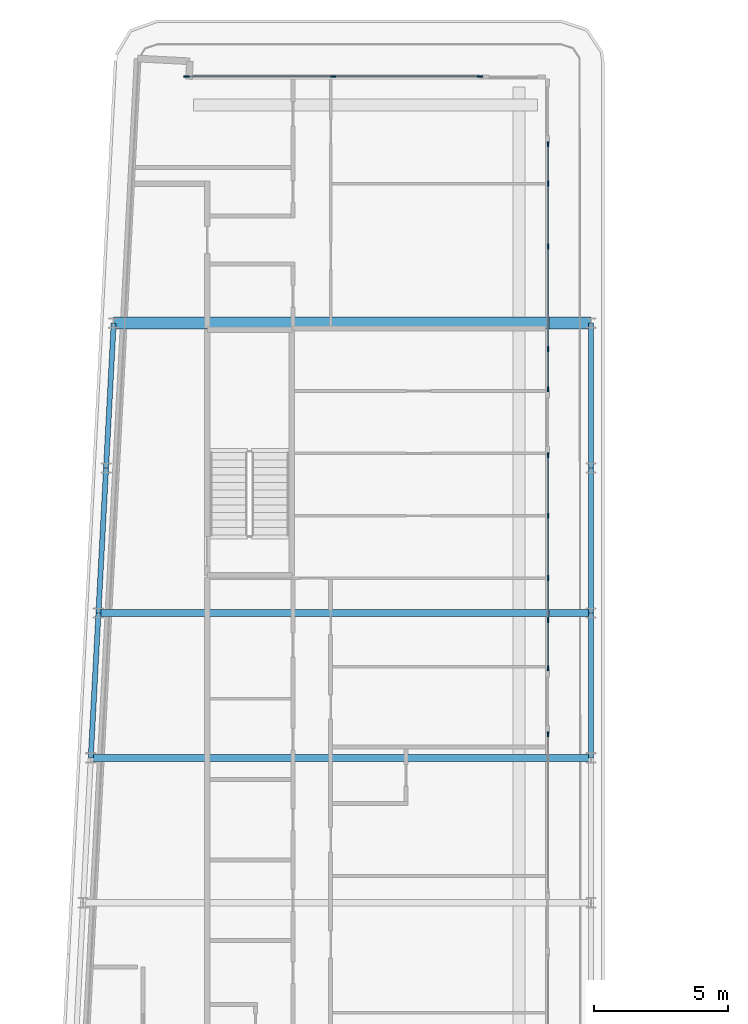
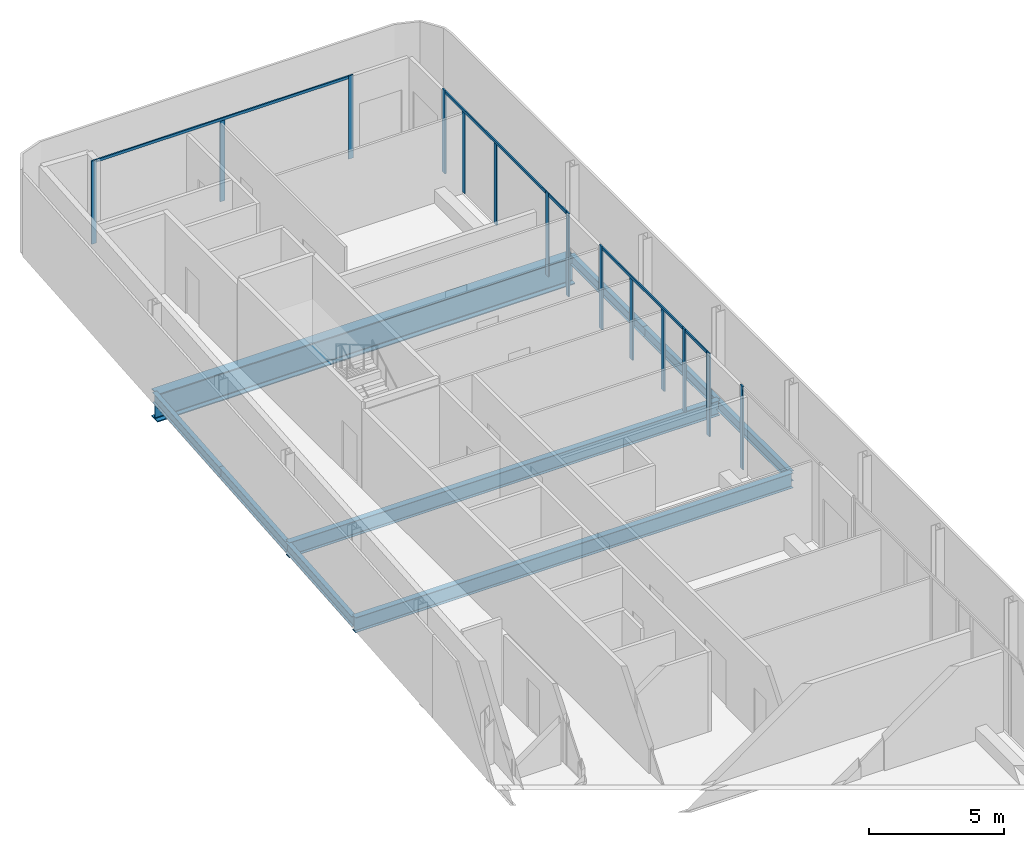
# One storey, part 6 of 18: 19 members, 9 beams, 6 elements without a shape of their own.
"""IFC4 building model written with IfcOpenShell, lengths in metres."""

from ifc_helpers import new_model, si_unit, direction, frame, origin, origin_2d, place, context, subcontext, project, spatial, rectangle, i_section, extrude, material, layer, layer_set, material_profile, profile_set, type_object, element, aggregate, save


model = new_model("IFC4")

# Units and contexts
model_context = context("Model", 3, precision=1e-05, world=origin(), true_north=direction((0.0, 1.0)))
body_context = subcontext(model_context, "Body", "Model", "MODEL_VIEW")
ifc_project = project(units=[si_unit("LENGTHUNIT", "METRE"), si_unit("AREAUNIT", "SQUARE_METRE"), si_unit("VOLUMEUNIT", "CUBIC_METRE"), si_unit("PLANEANGLEUNIT", "RADIAN"), si_unit("MASSUNIT", "GRAM", prefix="KILO")], contexts=[model_context])

# Site, building, storey
site_placement = place(None, origin())
site = spatial("IfcSite", under=ifc_project, at=site_placement, CompositionType="ELEMENT")
building_placement = place(site_placement, origin())
building = spatial("IfcBuilding", under=site, at=building_placement, Name="Kheshtan School and Residences Tower", CompositionType="ELEMENT")
storey_placement = place(building_placement, frame((0.0, 0.0, 385.10009765625)))
storey = spatial("IfcBuildingStorey", under=building, at=storey_placement, Name="L91", CompositionType="ELEMENT", Elevation=385.10009765625)

# Beams
ifc_material_1 = material(Name="Steel ASTM A992 Grade 50", Category="steel")
ifc_material_profile_1 = material_profile(ifc_material_1, i_section(OverallWidth=0.2529296875, OverallDepth=0.677978515625, WebThickness=0.01171875, FlangeThickness=0.016357421875, FilletRadius=0.0146484375, at=origin_2d()), Name="W690x125")
ifc_profile_set_1 = profile_set([ifc_material_profile_1], Name="Steel ASTM A992 Grade 50")
beam_type_1 = type_object("IfcBeamType", Name="Beam FB6 W690x125 ASTM A992 Grade 50", PredefinedType="BEAM", material=ifc_profile_set_1)
beam_1_placement = place(storey_placement, frame((47.60009765625, 78.0, -0.489013671875), z_axis=(-1.0, 0.0, 0.0), x_axis=(0.0, -1.0, 0.0)))
element("IfcBeam", 1, at=beam_1_placement, inside=storey, type_object=beam_type_1, Name="Floor beam C089", PredefinedType="BEAM", context=body_context, shape_type="SweptSolid", body=[
    extrude(i_section(OverallWidth=0.2529296875, OverallDepth=0.677978515625, WebThickness=0.01171875, FlangeThickness=0.016357421875, FilletRadius=0.0146484375, at=origin_2d()), origin(), (0.0, 0.0, 1.0), 18.357177734375),
])
beam_2_placement = place(storey_placement, frame((28.9580078125, 72.60009765625, -0.489013671875), z_axis=(1.0, 0.0, 0.0), x_axis=(0.0, 1.0, 0.0)))
element("IfcBeam", 2, at=beam_2_placement, inside=storey, type_object=beam_type_1, Name="Floor beam C086", PredefinedType="BEAM", context=body_context, shape_type="SweptSolid", body=[
    extrude(i_section(OverallWidth=0.2529296875, OverallDepth=0.677978515625, WebThickness=0.01171875, FlangeThickness=0.016357421875, FilletRadius=0.0146484375, at=origin_2d()), origin(), (0.0, 0.0, 1.0), 18.64208984375),
])
ifc_material_profile_2 = material_profile(ifc_material_1, i_section(OverallWidth=0.18994140625, OverallDepth=0.45703125, WebThickness=0.009033203125, FlangeThickness=0.014404296875, FilletRadius=0.01318359375, at=origin_2d()), Name="W460x74")
ifc_profile_set_2 = profile_set([ifc_material_profile_2], Name="Steel ASTM A992 Grade 50")
beam_type_2 = type_object("IfcBeamType", Name="Beam SP4 W460x74 ASTM A992 Grade 50", PredefinedType="BEAM", material=ifc_profile_set_2)
beam_3_placement = place(storey_placement, frame((47.60009765625, 88.800048828125, -0.378662109375), z_axis=(0.0, -1.0, 0.0), x_axis=(1.0, 0.0, 0.0)))
element("IfcBeam", 3, at=beam_3_placement, inside=storey, type_object=beam_type_2, Name="Spandrel beam C099-C091", PredefinedType="BEAM", context=body_context, shape_type="SweptSolid", body=[
    extrude(i_section(OverallWidth=0.18994140625, OverallDepth=0.45703125, WebThickness=0.009033203125, FlangeThickness=0.014404296875, FilletRadius=0.01318359375, at=origin_2d()), origin(), (0.0, 0.0, 1.0), 5.400146484375),
])
for number, where, z_axis, x_axis, name in (
    (4, (47.60009765625, 83.39990234375, -0.378662109375), (0.0, -1.0, 0.0), (1.0, 0.0, 0.0), "Spandrel beam C091-C089"),
    (5, (47.60009765625, 78.0, -0.378662109375), (0.0, -1.0, 0.0), (1.0, 0.0, 0.0), "Spandrel beam C089-C087"),
):
    element("IfcBeam", number, at=place(storey_placement, frame(where, z_axis=z_axis, x_axis=x_axis)), inside=storey, type_object=beam_type_2, Name=name, PredefinedType="BEAM", context=body_context, shape_type="SweptSolid", body=[
        extrude(i_section(OverallWidth=0.18994140625, OverallDepth=0.45703125, WebThickness=0.009033203125, FlangeThickness=0.014404296875, FilletRadius=0.01318359375, at=origin_2d()), origin(), (0.0, 0.0, 1.0), 5.39990234375),
    ])
for number, where, z_axis, x_axis, name in (
    (6, (28.9580078125, 72.60009765625, -0.378662109375), (0.052689166816, 0.998610961136, 0.0), (-0.998610961136, 0.052689166816, 0.0), "Spandrel beam C086-C088"),
    (7, (29.242919921875, 78.0, -0.378662109375), (0.052554093665, 0.998618078766, 0.0), (-0.998618078766, 0.052554093665, 0.0), "Spandrel beam C088-C090"),
):
    element("IfcBeam", number, at=place(storey_placement, frame(where, z_axis=z_axis, x_axis=x_axis)), inside=storey, type_object=beam_type_2, Name=name, PredefinedType="BEAM", context=body_context, shape_type="SweptSolid", body=[
        extrude(i_section(OverallWidth=0.18994140625, OverallDepth=0.45703125, WebThickness=0.009033203125, FlangeThickness=0.014404296875, FilletRadius=0.01318359375, at=origin_2d()), origin(), (0.0, 0.0, 1.0), 5.407470703125),
    ])
beam_4_placement = place(storey_placement, frame((29.527099609375, 83.39990234375, -0.378662109375), z_axis=(0.05250670125, 0.998620571751, 0.0), x_axis=(-0.998620571751, 0.05250670125, 0.0)))
element("IfcBeam", 8, at=beam_4_placement, inside=storey, type_object=beam_type_2, Name="Spandrel beam C090-C098", PredefinedType="BEAM", context=body_context, shape_type="SweptSolid", body=[
    extrude(i_section(OverallWidth=0.18994140625, OverallDepth=0.45703125, WebThickness=0.009033203125, FlangeThickness=0.014404296875, FilletRadius=0.01318359375, at=origin_2d()), origin(), (0.0, 0.0, 1.0), 5.40771484375),
])

# Curtain wall, members
ifc_material_2 = material(Name="Clear low-e glass in thermally broken aluminium frame", Category="aluminium")
ifc_layer = layer(ifc_material_2, 0.199951171875)
ifc_layer_set = layer_set([ifc_layer], Name="Curtain wall CW-L")
curtain_wall_type = type_object("IfcCurtainWallType", Name="Curtain wall CW-L", PredefinedType="NOTDEFINED", material=ifc_layer_set)
curtain_wall_1_placement = place(storey_placement, origin())
curtain_wall_1 = element("IfcCurtainWall", 9, at=curtain_wall_1_placement, inside=storey, type_object=curtain_wall_type, Name="Curtain wall CWL7", PredefinedType="NOTDEFINED")
ifc_material_3 = material(Name="Thermally broken aluminium, dark bronze anodised", Category="aluminium")
ifc_material_profile_3 = material_profile(ifc_material_3, rectangle(XDim=0.06005859375, YDim=0.199951171875, at=origin_2d()), Name="CW-L mullion 60x200")
ifc_profile_set_3 = profile_set([ifc_material_profile_3], Name="Thermally broken aluminium, dark bronze anodised")
member_type_1 = type_object("IfcMemberType", Name="CW-L mullion 60x200", PredefinedType="MULLION", material=ifc_profile_set_3)
member_1_placement = place(storey_placement, frame((32.52197265625, 98.0, 0.0), z_axis=(0.0, 0.0, 1.0), x_axis=(0.0, 1.0, 0.0)))
member_1 = element("IfcMember", 10, at=member_1_placement, type_object=member_type_1, Name="CWL7 mullion 1", PredefinedType="MULLION", context=body_context, shape_type="SweptSolid", body=[
    extrude(rectangle(XDim=0.06005859375, YDim=0.199951171875, at=origin_2d()), origin(), (0.0, 0.0, 1.0), 3.75),
])
member_2_placement = place(storey_placement, frame((37.99609375, 98.0, 0.0), z_axis=(0.0, 0.0, 1.0), x_axis=(0.0, 1.0, 0.0)))
member_2 = element("IfcMember", 11, at=member_2_placement, type_object=member_type_1, Name="CWL7 mullion 2", PredefinedType="MULLION", context=body_context, shape_type="SweptSolid", body=[
    extrude(rectangle(XDim=0.06005859375, YDim=0.199951171875, at=origin_2d()), origin(), (0.0, 0.0, 1.0), 3.6298828125),
])
member_3_placement = place(storey_placement, frame((43.469970703125, 98.0, 0.0), z_axis=(0.0, 0.0, 1.0), x_axis=(0.0, 1.0, 0.0)))
member_3 = element("IfcMember", 12, at=member_3_placement, type_object=member_type_1, Name="CWL7 mullion 3", PredefinedType="MULLION", context=body_context, shape_type="SweptSolid", body=[
    extrude(rectangle(XDim=0.06005859375, YDim=0.199951171875, at=origin_2d()), origin(), (0.0, 0.0, 1.0), 3.75),
])

curtain_wall_2_placement = place(storey_placement, origin())
curtain_wall_2 = element("IfcCurtainWall", 13, at=curtain_wall_2_placement, inside=storey, type_object=curtain_wall_type, Name="Curtain wall CWL8c", PredefinedType="NOTDEFINED")
member_4_placement = place(storey_placement, frame((46.0, 95.469970703125, 0.0), z_axis=(0.0, 0.0, 1.0), x_axis=(1.0, 0.0, 0.0)))
member_4 = element("IfcMember", 14, at=member_4_placement, type_object=member_type_1, Name="CWL8c mullion 1", PredefinedType="MULLION", context=body_context, shape_type="SweptSolid", body=[
    extrude(rectangle(XDim=0.06005859375, YDim=0.199951171875, at=origin_2d()), origin(), (0.0, 0.0, 1.0), 3.75),
])
member_5_placement = place(storey_placement, frame((46.0, 94.0, 0.0), z_axis=(0.0, 0.0, 1.0), x_axis=(1.0, 0.0, 0.0)))
member_5 = element("IfcMember", 15, at=member_5_placement, type_object=member_type_1, Name="CWL8c mullion 2", PredefinedType="MULLION", context=body_context, shape_type="SweptSolid", body=[
    extrude(rectangle(XDim=0.06005859375, YDim=0.199951171875, at=origin_2d()), origin(), (0.0, 0.0, 1.0), 3.6298828125),
])
member_6_placement = place(storey_placement, frame((46.0, 91.653076171875, 0.0), z_axis=(0.0, 0.0, 1.0), x_axis=(1.0, 0.0, 0.0)))
member_6 = element("IfcMember", 16, at=member_6_placement, type_object=member_type_1, Name="CWL8c mullion 3", PredefinedType="MULLION", context=body_context, shape_type="SweptSolid", body=[
    extrude(rectangle(XDim=0.06005859375, YDim=0.199951171875, at=origin_2d()), origin(), (0.0, 0.0, 1.0), 3.6298828125),
])
member_7_placement = place(storey_placement, frame((46.0, 87.8359375, 0.0), z_axis=(0.0, 0.0, 1.0), x_axis=(1.0, 0.0, 0.0)))
member_7 = element("IfcMember", 17, at=member_7_placement, type_object=member_type_1, Name="CWL8c mullion 4", PredefinedType="MULLION", context=body_context, shape_type="SweptSolid", body=[
    extrude(rectangle(XDim=0.06005859375, YDim=0.199951171875, at=origin_2d()), origin(), (0.0, 0.0, 1.0), 3.75),
])

# Curtain wall, member
curtain_wall_3_placement = place(storey_placement, origin())
curtain_wall_3 = element("IfcCurtainWall", 18, at=curtain_wall_3_placement, inside=storey, type_object=curtain_wall_type, Name="Curtain wall CWL8a", PredefinedType="NOTDEFINED")
member_8_placement = place(storey_placement, frame((46.0, 86.3359375, 0.0), z_axis=(0.0, 0.0, 1.0), x_axis=(1.0, 0.0, 0.0)))
member_8 = element("IfcMember", 19, at=member_8_placement, type_object=member_type_1, Name="CWL8a mullion 2", PredefinedType="MULLION", context=body_context, shape_type="SweptSolid", body=[
    extrude(rectangle(XDim=0.06005859375, YDim=0.199951171875, at=origin_2d()), origin(), (0.0, 0.0, 1.0), 3.75),
])

# Curtain wall, members
curtain_wall_4_placement = place(storey_placement, origin())
curtain_wall_4 = element("IfcCurtainWall", 20, at=curtain_wall_4_placement, inside=storey, type_object=curtain_wall_type, Name="Curtain wall CWL8b", PredefinedType="NOTDEFINED")
member_9_placement = place(storey_placement, frame((46.0, 83.8759765625, 0.0), z_axis=(0.0, 0.0, 1.0), x_axis=(1.0, 0.0, 0.0)))
member_9 = element("IfcMember", 21, at=member_9_placement, type_object=member_type_1, Name="CWL8b mullion 1", PredefinedType="MULLION", context=body_context, shape_type="SweptSolid", body=[
    extrude(rectangle(XDim=0.06005859375, YDim=0.199951171875, at=origin_2d()), origin(), (0.0, 0.0, 1.0), 3.75),
])
member_10_placement = place(storey_placement, frame((46.0, 81.625, 0.0), z_axis=(0.0, 0.0, 1.0), x_axis=(1.0, 0.0, 0.0)))
member_10 = element("IfcMember", 22, at=member_10_placement, type_object=member_type_1, Name="CWL8b mullion 2", PredefinedType="MULLION", context=body_context, shape_type="SweptSolid", body=[
    extrude(rectangle(XDim=0.06005859375, YDim=0.199951171875, at=origin_2d()), origin(), (0.0, 0.0, 1.0), 3.6298828125),
])
member_11_placement = place(storey_placement, frame((46.0, 79.300048828125, 0.0), z_axis=(0.0, 0.0, 1.0), x_axis=(1.0, 0.0, 0.0)))
member_11 = element("IfcMember", 23, at=member_11_placement, type_object=member_type_1, Name="CWL8b mullion 3", PredefinedType="MULLION", context=body_context, shape_type="SweptSolid", body=[
    extrude(rectangle(XDim=0.06005859375, YDim=0.199951171875, at=origin_2d()), origin(), (0.0, 0.0, 1.0), 3.6298828125),
])
member_12_placement = place(storey_placement, frame((46.0, 77.741943359375, 0.0), z_axis=(0.0, 0.0, 1.0), x_axis=(1.0, 0.0, 0.0)))
member_12 = element("IfcMember", 24, at=member_12_placement, type_object=member_type_1, Name="CWL8b mullion 4", PredefinedType="MULLION", context=body_context, shape_type="SweptSolid", body=[
    extrude(rectangle(XDim=0.06005859375, YDim=0.199951171875, at=origin_2d()), origin(), (0.0, 0.0, 1.0), 3.75),
])

# Curtain wall, member
curtain_wall_5_placement = place(storey_placement, origin())
curtain_wall_5 = element("IfcCurtainWall", 25, at=curtain_wall_5_placement, inside=storey, type_object=curtain_wall_type, Name="Curtain wall CWL8e", PredefinedType="NOTDEFINED")
member_13_placement = place(storey_placement, frame((46.0, 75.94189453125, 0.0), z_axis=(0.0, 0.0, 1.0), x_axis=(1.0, 0.0, 0.0)))
member_13 = element("IfcMember", 26, at=member_13_placement, type_object=member_type_1, Name="CWL8e mullion 2", PredefinedType="MULLION", context=body_context, shape_type="SweptSolid", body=[
    extrude(rectangle(XDim=0.06005859375, YDim=0.199951171875, at=origin_2d()), origin(), (0.0, 0.0, 1.0), 3.75),
])

curtain_wall_6_placement = place(storey_placement, origin())
curtain_wall_6 = element("IfcCurtainWall", 27, at=curtain_wall_6_placement, inside=storey, type_object=curtain_wall_type, Name="Curtain wall CWL8f", PredefinedType="NOTDEFINED")
member_14_placement = place(storey_placement, frame((46.0, 73.48193359375, 0.0), z_axis=(0.0, 0.0, 1.0), x_axis=(1.0, 0.0, 0.0)))
member_14 = element("IfcMember", 28, at=member_14_placement, type_object=member_type_1, Name="CWL8f mullion 1", PredefinedType="MULLION", context=body_context, shape_type="SweptSolid", body=[
    extrude(rectangle(XDim=0.06005859375, YDim=0.199951171875, at=origin_2d()), origin(), (0.0, 0.0, 1.0), 3.75),
])
aggregate(curtain_wall_6, [member_14])

# Member
ifc_material_profile_4 = material_profile(ifc_material_3, rectangle(XDim=0.06005859375, YDim=0.1201171875, at=origin_2d()), Name="CW-L transom 60x120")
ifc_profile_set_4 = profile_set([ifc_material_profile_4], Name="Thermally broken aluminium, dark bronze anodised")
member_type_2 = type_object("IfcMemberType", Name="CW-L transom 60x120", PredefinedType="USERDEFINED", material=ifc_profile_set_4)
member_15_placement = place(storey_placement, frame((32.552001953125, 98.0, 3.68994140625), z_axis=(1.0, 0.0, 0.0), x_axis=(0.0, 1.0, 0.0)))
member_15 = element("IfcMember", 29, at=member_15_placement, type_object=member_type_2, Name="CWL7 transom 1", ObjectType="TRANSOM", PredefinedType="USERDEFINED", context=body_context, shape_type="SweptSolid", body=[
    extrude(rectangle(XDim=0.06005859375, YDim=0.1201171875, at=origin_2d()), origin(), (0.0, 0.0, 1.0), 10.887939453125),
])

aggregate(curtain_wall_1, [member_1, member_2, member_3, member_15])

member_16_placement = place(storey_placement, frame((46.0, 95.43994140625, 3.68994140625), z_axis=(0.0, -1.0, 0.0), x_axis=(1.0, 0.0, 0.0)))
member_16 = element("IfcMember", 30, at=member_16_placement, type_object=member_type_2, Name="CWL8c transom 1", ObjectType="TRANSOM", PredefinedType="USERDEFINED", context=body_context, shape_type="SweptSolid", body=[
    extrude(rectangle(XDim=0.06005859375, YDim=0.1201171875, at=origin_2d()), origin(), (0.0, 0.0, 1.0), 7.573974609375),
])

aggregate(curtain_wall_2, [member_4, member_5, member_6, member_7, member_16])

member_17_placement = place(storey_placement, frame((46.0, 87.805908203125, 3.68994140625), z_axis=(0.0, -1.0, 0.0), x_axis=(1.0, 0.0, 0.0)))
member_17 = element("IfcMember", 31, at=member_17_placement, type_object=member_type_2, Name="CWL8a transom 1", ObjectType="TRANSOM", PredefinedType="USERDEFINED", context=body_context, shape_type="SweptSolid", body=[
    extrude(rectangle(XDim=0.06005859375, YDim=0.1201171875, at=origin_2d()), origin(), (0.0, 0.0, 1.0), 1.43994140625),
])

aggregate(curtain_wall_3, [member_8, member_17])

member_18_placement = place(storey_placement, frame((46.0, 83.845947265625, 3.68994140625), z_axis=(0.0, -1.0, 0.0), x_axis=(1.0, 0.0, 0.0)))
member_18 = element("IfcMember", 32, at=member_18_placement, type_object=member_type_2, Name="CWL8b transom 1", ObjectType="TRANSOM", PredefinedType="USERDEFINED", context=body_context, shape_type="SweptSolid", body=[
    extrude(rectangle(XDim=0.06005859375, YDim=0.1201171875, at=origin_2d()), origin(), (0.0, 0.0, 1.0), 6.073974609375),
])

aggregate(curtain_wall_4, [member_9, member_10, member_11, member_12, member_18])

member_19_placement = place(storey_placement, frame((46.0, 77.7119140625, 3.68994140625), z_axis=(0.0, -1.0, 0.0), x_axis=(1.0, 0.0, 0.0)))
member_19 = element("IfcMember", 33, at=member_19_placement, type_object=member_type_2, Name="CWL8e transom 1", ObjectType="TRANSOM", PredefinedType="USERDEFINED", context=body_context, shape_type="SweptSolid", body=[
    extrude(rectangle(XDim=0.06005859375, YDim=0.1201171875, at=origin_2d()), origin(), (0.0, 0.0, 1.0), 1.739990234375),
])

aggregate(curtain_wall_5, [member_13, member_19])

# Beam
ifc_material_profile_5 = material_profile(ifc_material_1, i_section(OverallWidth=0.449951171875, OverallDepth=1.25, WebThickness=0.02490234375, FlangeThickness=0.044921875, FilletRadius=0.03759765625, at=origin_2d()), Name="WWF1250x546")
ifc_profile_set_5 = profile_set([ifc_material_profile_5], Name="Steel ASTM A992 Grade 50")
beam_type_3 = type_object("IfcBeamType", Name="Transfer girder TG4 WWF1250x546 ASTM A992 Grade 50", PredefinedType="BEAM", material=ifc_profile_set_5)
beam_5_placement = place(storey_placement, frame((29.81103515625, 88.800048828125, -0.775146484375), z_axis=(1.0, 0.0, 0.0), x_axis=(0.0, 1.0, 0.0)))
element("IfcBeam", 34, at=beam_5_placement, inside=storey, type_object=beam_type_3, Name="Transfer girder C098-C099", PredefinedType="BEAM", context=body_context, shape_type="SweptSolid", body=[
    extrude(i_section(OverallWidth=0.449951171875, OverallDepth=1.25, WebThickness=0.02490234375, FlangeThickness=0.044921875, FilletRadius=0.03759765625, at=origin_2d()), origin(), (0.0, 0.0, 1.0), 17.7890625),
])

save(model, "model.ifc")
